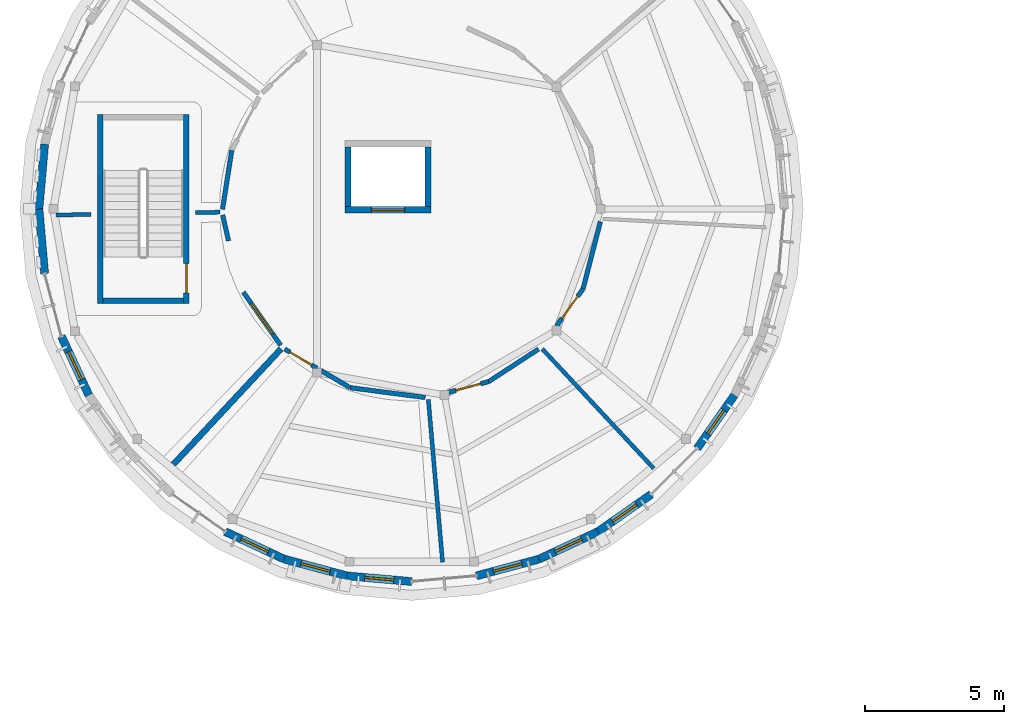
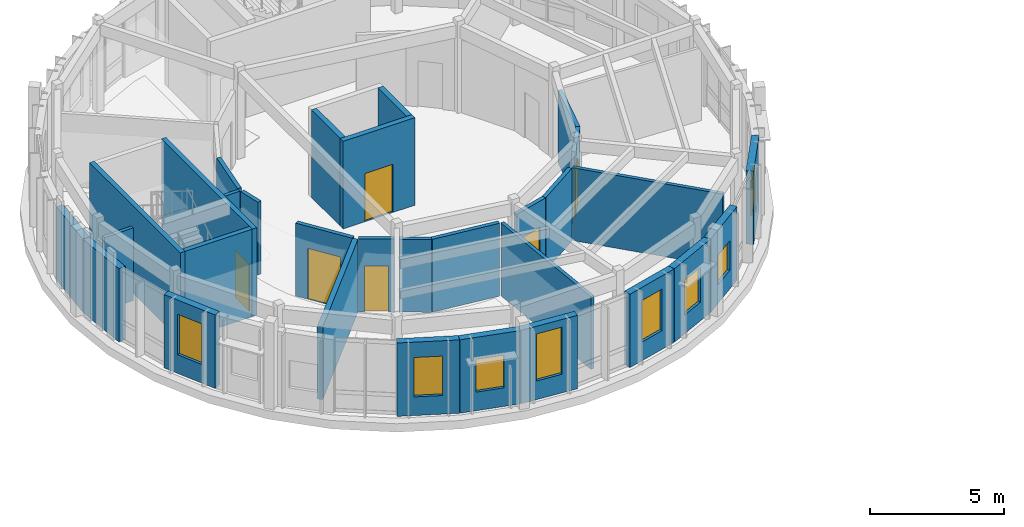
# One storey, part 20 of 37: 31 walls, 8 windows, 6 doors, 14 openings.
"""IFC4 building model written with IfcOpenShell, lengths in metres."""

from ifc_helpers import new_model, si_unit, direction, frame, frame_2d, origin, place, context, subcontext, project, spatial, rectangle, extrude, material, layer, layer_set, type_object, element, fill, save


model = new_model("IFC4")

# Units and contexts
model_context = context("Model", 3, precision=1e-05, world=origin(), true_north=direction((0.0, 1.0)))
body_context = subcontext(model_context, "Body", "Model", "MODEL_VIEW")
ifc_project = project(units=[si_unit("LENGTHUNIT", "METRE"), si_unit("AREAUNIT", "SQUARE_METRE"), si_unit("VOLUMEUNIT", "CUBIC_METRE"), si_unit("PLANEANGLEUNIT", "RADIAN"), si_unit("MASSUNIT", "GRAM", prefix="KILO")], contexts=[model_context])

# Site, building, storey
site_placement = place(None, origin())
site = spatial("IfcSite", under=ifc_project, at=site_placement, CompositionType="ELEMENT")
building_placement = place(site_placement, origin())
building = spatial("IfcBuilding", under=site, at=building_placement, Name="Aldenvaro Health Centre", CompositionType="ELEMENT")
storey_placement = place(building_placement, frame((0.0, 0.0, 12.949951171875)))
storey = spatial("IfcBuildingStorey", under=building, at=storey_placement, Name="L03", CompositionType="ELEMENT", Elevation=12.949951171875)

# Walls
ifc_material_1 = material(Name="Gypsum Stud Acoustic Assembly")
ifc_layer_1 = layer(ifc_material_1, 0.14501953125, Name="Gypsum Stud Acoustic Assembly")
ifc_layer_set_1 = layer_set([ifc_layer_1], Name="Gypsum Stud Acoustic Assembly")
wall_type_1 = type_object("IfcWallType", Name="WL-CLN-145", PredefinedType="PARTITIONING", material=ifc_layer_set_1)
wall_1_placement = place(storey_placement, frame((11.617919921875, 99.3798828125, 0.0), z_axis=(0.0, 0.0, 1.0), x_axis=(-0.999840336335, -0.017869018934, 0.0)))
element("IfcWall", 1, at=wall_1_placement, inside=storey, type_object=wall_type_1, Name="D4 L03 clinical partition 3.1", PredefinedType="PARTITIONING", context=body_context, shape_type="SweptSolid", body=[
    extrude(rectangle(XDim=0.88818359375, YDim=0.14501953125, at=frame_2d((0.444091796875, 0.0))), origin(), (0.0, 0.0, 1.0), 3.323974609375),
])
wall_2_placement = place(storey_placement, frame((6.969970703125, 99.299072265625, 0.0), z_axis=(0.0, 0.0, 1.0), x_axis=(-0.999845298985, -0.017589147167, 0.0)))
element("IfcWall", 2, at=wall_2_placement, inside=storey, type_object=wall_type_1, Name="D4 L03 clinical partition 3.2", PredefinedType="PARTITIONING", context=body_context, shape_type="SweptSolid", body=[
    extrude(rectangle(XDim=1.249267578125, YDim=0.14501953125, at=frame_2d((0.62451171875, 0.0))), origin(), (0.0, 0.0, 1.0), 3.323974609375),
])
wall_3_placement = place(storey_placement, frame((19.10009765625, 92.64306640625, 0.0), z_axis=(0.0, 0.0, 1.0), x_axis=(0.087091071421, -0.996200353984, 0.0)))
element("IfcWall", 3, at=wall_3_placement, inside=storey, type_object=wall_type_1, Name="D4 L03 clinical partition 5.1", PredefinedType="PARTITIONING", context=body_context, shape_type="SweptSolid", body=[
    extrude(rectangle(XDim=5.8671875, YDim=0.14501953125, at=frame_2d((2.93359375, 0.0))), origin(), (0.0, 0.0, 1.0), 3.323974609375),
])
wall_4_placement = place(storey_placement, frame((23.194091796875, 94.466064453125, 0.0), z_axis=(0.0, 0.0, 1.0), x_axis=(0.681971732264, -0.731378531537, 0.0)))
element("IfcWall", 4, at=wall_4_placement, inside=storey, type_object=wall_type_1, Name="D4 L03 clinical partition 6.1", PredefinedType="PARTITIONING", context=body_context, shape_type="SweptSolid", body=[
    extrude(rectangle(XDim=5.87548828125, YDim=0.14501953125, at=frame_2d((2.937744140625, 0.0))), origin(), (0.0, 0.0, 1.0), 3.323974609375),
])
ifc_layer_2 = layer(ifc_material_1, 0.1650390625, Name="Gypsum Stud Acoustic Assembly")
ifc_layer_set_2 = layer_set([ifc_layer_2], Name="Gypsum Stud Acoustic Assembly")
wall_type_2 = type_object("IfcWallType", Name="WL-COR-165", PredefinedType="PARTITIONING", material=ifc_layer_set_2)
wall_5_placement = place(storey_placement, frame((12.032958984375, 101.60107421875, 0.0), z_axis=(0.0, 0.0, 1.0), x_axis=(-0.155237833992, -0.987877125404, 0.0)))
element("IfcWall", 5, at=wall_5_placement, inside=storey, type_object=wall_type_2, Name="D4 L03 corridor wall 02.2", PredefinedType="PARTITIONING", context=body_context, shape_type="SweptSolid", body=[
    extrude(rectangle(XDim=2.145263671875, YDim=0.1650390625, at=frame_2d((1.07275390625, 0.0))), origin(), (0.0, 0.0, 1.0), 3.323974609375),
])
wall_6_placement = place(storey_placement, frame((11.7041015625, 99.280029296875, 0.0), z_axis=(0.0, 0.0, 1.0), x_axis=(0.223158332348, -0.974782210909, 0.0)))
element("IfcWall", 6, at=wall_6_placement, inside=storey, type_object=wall_type_2, Name="D4 L03 corridor wall 03.1", PredefinedType="PARTITIONING", context=body_context, shape_type="SweptSolid", body=[
    extrude(rectangle(XDim=0.9541015625, YDim=0.1650390625, at=frame_2d((0.47705078125, 0.0))), origin(), (0.0, 0.0, 1.0), 3.323974609375),
])

# Wall, opening, door
wall_7_placement = place(storey_placement, frame((12.449951171875, 96.5029296875, 0.0), z_axis=(0.0, 0.0, 1.0), x_axis=(0.574678200401, -0.818379475539, 0.0)))
wall_7 = element("IfcWall", 7, at=wall_7_placement, inside=storey, type_object=wall_type_2, Name="D4 L03 corridor wall 03.2", PredefinedType="PARTITIONING", context=body_context, shape_type="SweptSolid", body=[
    extrude(rectangle(XDim=2.330078125, YDim=0.1650390625, at=frame_2d((1.1650390625, 0.0))), origin(), (0.0, 0.0, 1.0), 3.323974609375),
])
opening_1_placement = place(wall_7_placement, frame((0.4951171875, 0.0, 0.0)))
opening_1 = element("IfcOpeningElement", 8, at=opening_1_placement, cuts=wall_7, Name="Opening D-30", PredefinedType="OPENING", context=body_context, shape_type="SweptSolid", body=[
    extrude(rectangle(XDim=1.340087890625, YDim=2.320068359375, at=frame_2d((0.669921875, 1.16015625))), frame((0.0, 0.092529296875, 0.0), z_axis=(0.0, -1.0, 0.0), x_axis=(1.0, 0.0, 0.0)), (0.0, 0.0, 1.0), 0.18505859375),
])
ifc_material_2 = material(Name="Exam Suite Timber Door", Category="wood")
door_type_1 = type_object("IfcDoorType", Name="DR-CLN-30", OperationType="NOTDEFINED", PredefinedType="DOOR", material=ifc_material_2)
door_1_placement = place(opening_1_placement, origin())
door_1 = element("IfcDoor", 9, at=door_1_placement, inside=storey, type_object=door_type_1, Name="Pulmonology Function Testing Lab Door", OperationType="SINGLE_SWING_LEFT", OverallHeight=2.320068359375, OverallWidth=1.340087890625, PredefinedType="DOOR", context=body_context, shape_type="SweptSolid", body=[
    extrude(rectangle(XDim=1.340087890625, YDim=2.320068359375, at=frame_2d((0.669921875, 1.16015625))), frame((0.0, 0.02490234375, 0.0), z_axis=(0.0, -1.0, 0.0), x_axis=(1.0, 0.0, 0.0)), (0.0, 0.0, 1.0), 0.050048828125),
])
fill(opening_1, door_1)

wall_8_placement = place(storey_placement, frame((13.93701171875, 94.458984375, 0.0), z_axis=(0.0, 0.0, 1.0), x_axis=(0.860532897503, -0.509394868756, 0.0)))
wall_8 = element("IfcWall", 10, at=wall_8_placement, inside=storey, type_object=wall_type_2, Name="D4 L03 corridor wall 04.1", PredefinedType="PARTITIONING", context=body_context, shape_type="SweptSolid", body=[
    extrude(rectangle(XDim=1.3466796875, YDim=0.1650390625, at=frame_2d((0.67333984375, 0.0))), origin(), (0.0, 0.0, 1.0), 3.323974609375),
])
opening_2_placement = place(wall_8_placement, frame((0.22412109375, 0.0, 0.0)))
opening_2 = element("IfcOpeningElement", 11, at=opening_2_placement, cuts=wall_8, Name="Opening WD-01", PredefinedType="OPENING", context=body_context, shape_type="SweptSolid", body=[
    extrude(rectangle(XDim=0.89990234375, YDim=2.10009765625, at=frame_2d((0.449951171875, 1.050048828125))), frame((0.0, 0.092529296875, 0.0), z_axis=(0.0, -1.0, 0.0), x_axis=(1.0, 0.0, 0.0)), (0.0, 0.0, 1.0), 0.18505859375),
])
ifc_material_3 = material(Name="Moisture-Resistant Laminate Door")
door_type_2 = type_object("IfcDoorType", Name="DR-WC-01", OperationType="NOTDEFINED", PredefinedType="DOOR", material=ifc_material_3)
door_2_placement = place(opening_2_placement, origin())
door_2 = element("IfcDoor", 12, at=door_2_placement, inside=storey, type_object=door_type_2, Name="Echocardiography and Stress Test Suite Door", OperationType="SINGLE_SWING_RIGHT", OverallHeight=2.10009765625, OverallWidth=0.89990234375, PredefinedType="DOOR", context=body_context, shape_type="SweptSolid", body=[
    extrude(rectangle(XDim=0.89990234375, YDim=2.10009765625, at=frame_2d((0.449951171875, 1.050048828125))), frame((0.0, 0.02490234375, 0.0), z_axis=(0.0, -1.0, 0.0), x_axis=(1.0, 0.0, 0.0)), (0.0, 0.0, 1.0), 0.050048828125),
])
fill(opening_2, door_2)

# Walls
wall_9_placement = place(storey_placement, frame((15.243896484375, 93.68603515625, 0.0), z_axis=(0.0, 0.0, 1.0), x_axis=(0.860838176747, -0.508878800359, 0.0)))
element("IfcWall", 13, at=wall_9_placement, inside=storey, type_object=wall_type_2, Name="D4 L03 corridor wall 04.2", PredefinedType="PARTITIONING", context=body_context, shape_type="SweptSolid", body=[
    extrude(rectangle(XDim=1.21044921875, YDim=0.1650390625, at=frame_2d((0.605224609375, 0.0))), origin(), (0.0, 0.0, 1.0), 3.323974609375),
])
wall_10_placement = place(storey_placement, frame((16.285888671875, 93.070068359375, 0.0), z_axis=(0.0, 0.0, 1.0), x_axis=(0.991643260492, -0.12901024735, 0.0)))
element("IfcWall", 14, at=wall_10_placement, inside=storey, type_object=wall_type_2, Name="D4 L03 corridor wall 04.3", PredefinedType="PARTITIONING", context=body_context, shape_type="SweptSolid", body=[
    extrude(rectangle(XDim=2.728759765625, YDim=0.1650390625, at=frame_2d((1.3642578125, 0.0))), origin(), (0.0, 0.0, 1.0), 3.323974609375),
])

# Wall, opening, door
wall_11_placement = place(storey_placement, frame((19.81103515625, 92.89990234375, 0.0), z_axis=(0.0, 0.0, 1.0), x_axis=(0.966208027206, 0.257763550882, 0.0)))
wall_11 = element("IfcWall", 15, at=wall_11_placement, inside=storey, type_object=wall_type_2, Name="D4 L03 corridor wall 05.1", PredefinedType="PARTITIONING", context=body_context, shape_type="SweptSolid", body=[
    extrude(rectangle(XDim=1.505859375, YDim=0.1650390625, at=frame_2d((0.7529296875, 0.0))), origin(), (0.0, 0.0, 1.0), 3.323974609375),
])
opening_3_placement = place(wall_11_placement, frame((0.29296875, 0.0, 0.0)))
opening_3 = element("IfcOpeningElement", 16, at=opening_3_placement, cuts=wall_11, Name="Opening D-01", PredefinedType="OPENING", context=body_context, shape_type="SweptSolid", body=[
    extrude(rectangle(XDim=0.919921875, YDim=2.1201171875, at=frame_2d((0.4599609375, 1.06005859375))), frame((0.0, 0.092529296875, 0.0), z_axis=(0.0, -1.0, 0.0), x_axis=(1.0, 0.0, 0.0)), (0.0, 0.0, 1.0), 0.18505859375),
])
ifc_material_4 = material(Name="Solid Core Acoustic Timber Door", Category="wood")
door_type_3 = type_object("IfcDoorType", Name="DR-CLN-01", OperationType="NOTDEFINED", PredefinedType="DOOR", material=ifc_material_4)
door_3_placement = place(opening_3_placement, origin())
door_3 = element("IfcDoor", 17, at=door_3_placement, inside=storey, type_object=door_type_3, Name="Diabetes Nutrition Consulting Room Door", OperationType="SINGLE_SWING_LEFT", OverallHeight=2.1201171875, OverallWidth=0.919921875, PredefinedType="DOOR", context=body_context, shape_type="SweptSolid", body=[
    extrude(rectangle(XDim=0.919921875, YDim=2.1201171875, at=frame_2d((0.4599609375, 1.06005859375))), frame((0.0, 0.02490234375, 0.0), z_axis=(0.0, -1.0, 0.0), x_axis=(1.0, 0.0, 0.0)), (0.0, 0.0, 1.0), 0.050048828125),
])
fill(opening_3, door_3)

# Wall
wall_12_placement = place(storey_placement, frame((21.26611328125, 93.2880859375, 0.0), z_axis=(0.0, 0.0, 1.0), x_axis=(0.837818879473, 0.5459482807, 0.0)))
element("IfcWall", 18, at=wall_12_placement, inside=storey, type_object=wall_type_2, Name="D4 L03 corridor wall 05.2", PredefinedType="PARTITIONING", context=body_context, shape_type="SweptSolid", body=[
    extrude(rectangle(XDim=2.144775390625, YDim=0.1650390625, at=frame_2d((1.072265625, 0.0))), origin(), (0.0, 0.0, 1.0), 3.323974609375),
])

# Wall, opening, door
wall_13_placement = place(storey_placement, frame((23.7080078125, 95.291015625, 0.0), z_axis=(0.0, 0.0, 1.0), x_axis=(0.581857090846, 0.813291046202, 0.0)))
wall_13 = element("IfcWall", 19, at=wall_13_placement, inside=storey, type_object=wall_type_2, Name="D4 L03 corridor wall 06.1", PredefinedType="PARTITIONING", context=body_context, shape_type="SweptSolid", body=[
    extrude(rectangle(XDim=1.641357421875, YDim=0.1650390625, at=frame_2d((0.82080078125, 0.0))), origin(), (0.0, 0.0, 1.0), 3.323974609375),
])
opening_4_placement = place(wall_13_placement, frame((0.341064453125, 0.0, 0.0)))
opening_4 = element("IfcOpeningElement", 20, at=opening_4_placement, cuts=wall_13, Name="Opening D-02", PredefinedType="OPENING", context=body_context, shape_type="SweptSolid", body=[
    extrude(rectangle(XDim=0.9599609375, YDim=2.1201171875, at=frame_2d((0.47998046875, 1.06005859375))), frame((0.0, 0.092529296875, 0.0), z_axis=(0.0, -1.0, 0.0), x_axis=(1.0, 0.0, 0.0)), (0.0, 0.0, 1.0), 0.18505859375),
])
door_type_4 = type_object("IfcDoorType", Name="DR-CLN-02", OperationType="NOTDEFINED", PredefinedType="DOOR", material=ifc_material_4)
door_4_placement = place(opening_4_placement, origin())
door_4 = element("IfcDoor", 21, at=door_4_placement, inside=storey, type_object=door_type_4, Name="Specialty Care Nurse Station Door", OperationType="SINGLE_SWING_RIGHT", OverallHeight=2.1201171875, OverallWidth=0.9599609375, PredefinedType="DOOR", context=body_context, shape_type="SweptSolid", body=[
    extrude(rectangle(XDim=0.9599609375, YDim=2.1201171875, at=frame_2d((0.47998046875, 1.06005859375))), frame((0.0, 0.02490234375, 0.0), z_axis=(0.0, -1.0, 0.0), x_axis=(1.0, 0.0, 0.0)), (0.0, 0.0, 1.0), 0.050048828125),
])
fill(opening_4, door_4)

# Wall
wall_14_placement = place(storey_placement, frame((24.6630859375, 96.6259765625, 0.0), z_axis=(0.0, 0.0, 1.0), x_axis=(0.249159011618, 0.968462589329, 0.0)))
element("IfcWall", 22, at=wall_14_placement, inside=storey, type_object=wall_type_2, Name="D4 L03 corridor wall 06.2", PredefinedType="PARTITIONING", context=body_context, shape_type="SweptSolid", body=[
    extrude(rectangle(XDim=2.49560546875, YDim=0.1650390625, at=frame_2d((1.247802734375, 0.0))), origin(), (0.0, 0.0, 1.0), 3.323974609375),
])

# Wall, opening, window
ifc_material_5 = material(Name="Cross-laminated timber CLT E1", Category="wood")
ifc_layer_3 = layer(ifc_material_5, 0.2900390625, Name="Cross-laminated timber CLT E1", Category="wood")
ifc_layer_set_3 = layer_set([ifc_layer_3], Name="Cross-laminated timber CLT E1")
wall_type_3 = type_object("IfcWallType", Name="WL-EXT-290", PredefinedType="ELEMENTEDWALL", material=ifc_layer_set_3)
wall_15_placement = place(storey_placement, frame((30.10498046875, 92.800048828125, 0.0), z_axis=(0.0, 0.0, 1.0), x_axis=(-0.573728883722, -0.819045278347, 0.0)))
wall_15 = element("IfcWall", 23, at=wall_15_placement, inside=storey, type_object=wall_type_3, Name="D4 L03 exterior wall 04", PredefinedType="ELEMENTEDWALL", context=body_context, shape_type="SweptSolid", body=[
    extrude(rectangle(XDim=2.335693359375, YDim=0.2900390625, at=frame_2d((1.16796875, 0.0))), origin(), (0.0, 0.0, 1.0), 3.34912109375),
])
opening_5_placement = place(wall_15_placement, frame((0.657958984375, 0.0, 0.85009765625)))
opening_5 = element("IfcOpeningElement", 24, at=opening_5_placement, cuts=wall_15, Name="Opening W-18", PredefinedType="OPENING", context=body_context, shape_type="SweptSolid", body=[
    extrude(rectangle(XDim=1.02001953125, YDim=1.60009765625, at=frame_2d((0.510009765625, 0.800048828125))), frame((0.0, 0.155029296875, 0.0), z_axis=(0.0, -1.0, 0.0), x_axis=(1.0, 0.0, 0.0)), (0.0, 0.0, 1.0), 0.31005859375),
])
ifc_material_6 = material(Name="Thermally Broken Aluminium Low-E Glass", Category="aluminium")
window_type_1 = type_object("IfcWindowType", Name="WN-EXT-18", PartitioningType="SINGLE_PANEL", PredefinedType="WINDOW", material=ifc_material_6)
window_1_placement = place(opening_5_placement, origin())
window_1 = element("IfcWindow", 25, at=window_1_placement, inside=storey, type_object=window_type_1, Name="D4 L03 clinical window 04", OverallHeight=1.60009765625, OverallWidth=1.02001953125, PartitioningType="SINGLE_PANEL", PredefinedType="WINDOW", context=body_context, shape_type="SweptSolid", body=[
    extrude(rectangle(XDim=1.02001953125, YDim=1.60009765625, at=frame_2d((0.510009765625, 0.800048828125))), frame((0.0, 0.030029296875, 0.0), z_axis=(0.0, -1.0, 0.0), x_axis=(1.0, 0.0, 0.0)), (0.0, 0.0, 1.0), 0.06005859375),
])
fill(opening_5, window_1)

wall_16_placement = place(storey_placement, frame((27.113037109375, 89.235107421875, 0.0), z_axis=(0.0, 0.0, 1.0), x_axis=(-0.819045278347, -0.573728883722, 0.0)))
wall_16 = element("IfcWall", 26, at=wall_16_placement, inside=storey, type_object=wall_type_3, Name="D4 L03 exterior wall 06", PredefinedType="ELEMENTEDWALL", context=body_context, shape_type="SweptSolid", body=[
    extrude(rectangle(XDim=2.335693359375, YDim=0.2900390625, at=frame_2d((1.16796875, 0.0))), origin(), (0.0, 0.0, 1.0), 3.34912109375),
])
opening_6_placement = place(wall_16_placement, frame((0.64306640625, 0.0, 0.85009765625)))
opening_6 = element("IfcOpeningElement", 27, at=opening_6_placement, cuts=wall_16, Name="Opening W-19", PredefinedType="OPENING", context=body_context, shape_type="SweptSolid", body=[
    extrude(rectangle(XDim=1.050048828125, YDim=1.35009765625, at=frame_2d((0.52490234375, 0.675048828125))), frame((0.0, 0.155029296875, 0.0), z_axis=(0.0, -1.0, 0.0), x_axis=(1.0, 0.0, 0.0)), (0.0, 0.0, 1.0), 0.31005859375),
])
window_type_2 = type_object("IfcWindowType", Name="WN-EXT-19", PartitioningType="SINGLE_PANEL", PredefinedType="WINDOW", material=ifc_material_6)
window_2_placement = place(opening_6_placement, origin())
window_2 = element("IfcWindow", 28, at=window_2_placement, inside=storey, type_object=window_type_2, Name="D4 L03 clinical window 06", OverallHeight=1.35009765625, OverallWidth=1.050048828125, PartitioningType="SINGLE_PANEL", PredefinedType="WINDOW", context=body_context, shape_type="SweptSolid", body=[
    extrude(rectangle(XDim=1.050048828125, YDim=1.35009765625, at=frame_2d((0.52490234375, 0.675048828125))), frame((0.0, 0.030029296875, 0.0), z_axis=(0.0, -1.0, 0.0), x_axis=(1.0, 0.0, 0.0)), (0.0, 0.0, 1.0), 0.06005859375),
])
fill(opening_6, window_2)

wall_17_placement = place(storey_placement, frame((25.199951171875, 87.89501953125, 0.0), z_axis=(0.0, 0.0, 1.0), x_axis=(-0.906321946979, -0.422587894318, 0.0)))
wall_17 = element("IfcWall", 29, at=wall_17_placement, inside=storey, type_object=wall_type_3, Name="D4 L03 exterior wall 07", PredefinedType="ELEMENTEDWALL", context=body_context, shape_type="SweptSolid", body=[
    extrude(rectangle(XDim=2.335693359375, YDim=0.2900390625, at=frame_2d((1.16796875, 0.0))), origin(), (0.0, 0.0, 1.0), 3.34912109375),
])
opening_7_placement = place(wall_17_placement, frame((0.64306640625, 0.0, 0.85009765625)))
opening_7 = element("IfcOpeningElement", 30, at=opening_7_placement, cuts=wall_17, Name="Opening W-20", PredefinedType="OPENING", context=body_context, shape_type="SweptSolid", body=[
    extrude(rectangle(XDim=1.050048828125, YDim=1.60009765625, at=frame_2d((0.52490234375, 0.800048828125))), frame((0.0, 0.155029296875, 0.0), z_axis=(0.0, -1.0, 0.0), x_axis=(1.0, 0.0, 0.0)), (0.0, 0.0, 1.0), 0.31005859375),
])
window_type_3 = type_object("IfcWindowType", Name="WN-EXT-20", PartitioningType="SINGLE_PANEL", PredefinedType="WINDOW", material=ifc_material_6)
window_3_placement = place(opening_7_placement, origin())
window_3 = element("IfcWindow", 31, at=window_3_placement, inside=storey, type_object=window_type_3, Name="D4 L03 clinical window 07", OverallHeight=1.60009765625, OverallWidth=1.050048828125, PartitioningType="SINGLE_PANEL", PredefinedType="WINDOW", context=body_context, shape_type="SweptSolid", body=[
    extrude(rectangle(XDim=1.050048828125, YDim=1.60009765625, at=frame_2d((0.52490234375, 0.800048828125))), frame((0.0, 0.030029296875, 0.0), z_axis=(0.0, -1.0, 0.0), x_axis=(1.0, 0.0, 0.0)), (0.0, 0.0, 1.0), 0.06005859375),
])
fill(opening_7, window_3)

wall_18_placement = place(storey_placement, frame((23.0830078125, 86.907958984375, 0.0), z_axis=(0.0, 0.0, 1.0), x_axis=(-0.965981166673, -0.258612423585, 0.0)))
wall_18 = element("IfcWall", 32, at=wall_18_placement, inside=storey, type_object=wall_type_3, Name="D4 L03 exterior wall 08", PredefinedType="ELEMENTEDWALL", context=body_context, shape_type="SweptSolid", body=[
    extrude(rectangle(XDim=2.33544921875, YDim=0.2900390625, at=frame_2d((1.167724609375, 0.0))), origin(), (0.0, 0.0, 1.0), 3.34912109375),
])
opening_8_placement = place(wall_18_placement, frame((0.64306640625, 0.0, 0.85009765625)))
opening_8 = element("IfcOpeningElement", 33, at=opening_8_placement, cuts=wall_18, Name="Opening W-21", PredefinedType="OPENING", context=body_context, shape_type="SweptSolid", body=[
    extrude(rectangle(XDim=1.050048828125, YDim=1.89990234375, at=frame_2d((0.52490234375, 0.949951171875))), frame((0.0, 0.155029296875, 0.0), z_axis=(0.0, -1.0, 0.0), x_axis=(1.0, 0.0, 0.0)), (0.0, 0.0, 1.0), 0.31005859375),
])
window_type_4 = type_object("IfcWindowType", Name="WN-EXT-21", PartitioningType="SINGLE_PANEL", PredefinedType="WINDOW", material=ifc_material_6)
window_4_placement = place(opening_8_placement, origin())
window_4 = element("IfcWindow", 34, at=window_4_placement, inside=storey, type_object=window_type_4, Name="D4 L03 clinical window 08", OverallHeight=1.89990234375, OverallWidth=1.050048828125, PartitioningType="SINGLE_PANEL", PredefinedType="WINDOW", context=body_context, shape_type="SweptSolid", body=[
    extrude(rectangle(XDim=1.050048828125, YDim=1.89990234375, at=frame_2d((0.52490234375, 0.949951171875))), frame((0.0, 0.030029296875, 0.0), z_axis=(0.0, -1.0, 0.0), x_axis=(1.0, 0.0, 0.0)), (0.0, 0.0, 1.0), 0.06005859375),
])
fill(opening_8, window_4)

wall_19_placement = place(storey_placement, frame((18.5, 86.10009765625, 0.0), z_axis=(0.0, 0.0, 1.0), x_axis=(-0.996184295282, 0.087274565792, 0.0)))
wall_19 = element("IfcWall", 35, at=wall_19_placement, inside=storey, type_object=wall_type_3, Name="D4 L03 exterior wall 10", PredefinedType="ELEMENTEDWALL", context=body_context, shape_type="SweptSolid", body=[
    extrude(rectangle(XDim=2.3359375, YDim=0.2900390625, at=frame_2d((1.16796875, 0.0))), origin(), (0.0, 0.0, 1.0), 3.34912109375),
])
opening_9_placement = place(wall_19_placement, frame((0.64306640625, 0.0, 0.85009765625)))
opening_9 = element("IfcOpeningElement", 36, at=opening_9_placement, cuts=wall_19, Name="Opening W-22", PredefinedType="OPENING", context=body_context, shape_type="SweptSolid", body=[
    extrude(rectangle(XDim=1.050048828125, YDim=2.14990234375, at=frame_2d((0.52490234375, 1.074951171875))), frame((0.0, 0.155029296875, 0.0), z_axis=(0.0, -1.0, 0.0), x_axis=(1.0, 0.0, 0.0)), (0.0, 0.0, 1.0), 0.31005859375),
])
window_type_5 = type_object("IfcWindowType", Name="WN-EXT-22", PartitioningType="SINGLE_PANEL", PredefinedType="WINDOW", material=ifc_material_6)
window_5_placement = place(opening_9_placement, origin())
window_5 = element("IfcWindow", 37, at=window_5_placement, inside=storey, type_object=window_type_5, Name="D4 L03 clinical window 10", OverallHeight=2.14990234375, OverallWidth=1.050048828125, PartitioningType="SINGLE_PANEL", PredefinedType="WINDOW", context=body_context, shape_type="SweptSolid", body=[
    extrude(rectangle(XDim=1.050048828125, YDim=2.14990234375, at=frame_2d((0.52490234375, 1.074951171875))), frame((0.0, 0.030029296875, 0.0), z_axis=(0.0, -1.0, 0.0), x_axis=(1.0, 0.0, 0.0)), (0.0, 0.0, 1.0), 0.06005859375),
])
fill(opening_9, window_5)

wall_20_placement = place(storey_placement, frame((16.173095703125, 86.303955078125, 0.0), z_axis=(0.0, 0.0, 1.0), x_axis=(-0.965981166673, 0.258612423585, 0.0)))
wall_20 = element("IfcWall", 38, at=wall_20_placement, inside=storey, type_object=wall_type_3, Name="D4 L03 exterior wall 11", PredefinedType="ELEMENTEDWALL", context=body_context, shape_type="SweptSolid", body=[
    extrude(rectangle(XDim=2.33544921875, YDim=0.2900390625, at=frame_2d((1.167724609375, 0.0))), origin(), (0.0, 0.0, 1.0), 3.34912109375),
])
opening_10_placement = place(wall_20_placement, frame((0.6279296875, 0.0, 0.85009765625)))
opening_10 = element("IfcOpeningElement", 39, at=opening_10_placement, cuts=wall_20, Name="Opening W-23", PredefinedType="OPENING", context=body_context, shape_type="SweptSolid", body=[
    extrude(rectangle(XDim=1.080078125, YDim=1.5, at=frame_2d((0.5400390625, 0.75))), frame((0.0, 0.155029296875, 0.0), z_axis=(0.0, -1.0, 0.0), x_axis=(1.0, 0.0, 0.0)), (0.0, 0.0, 1.0), 0.31005859375),
])
window_type_6 = type_object("IfcWindowType", Name="WN-EXT-23", PartitioningType="SINGLE_PANEL", PredefinedType="WINDOW", material=ifc_material_6)
window_6_placement = place(opening_10_placement, origin())
window_6 = element("IfcWindow", 40, at=window_6_placement, inside=storey, type_object=window_type_6, Name="D4 L03 clinical window 11", OverallHeight=1.5, OverallWidth=1.080078125, PartitioningType="SINGLE_PANEL", PredefinedType="WINDOW", context=body_context, shape_type="SweptSolid", body=[
    extrude(rectangle(XDim=1.080078125, YDim=1.5, at=frame_2d((0.5400390625, 0.75))), frame((0.0, 0.030029296875, 0.0), z_axis=(0.0, -1.0, 0.0), x_axis=(1.0, 0.0, 0.0)), (0.0, 0.0, 1.0), 0.06005859375),
])
fill(opening_10, window_6)

wall_21_placement = place(storey_placement, frame((13.9169921875, 86.907958984375, 0.0), z_axis=(0.0, 0.0, 1.0), x_axis=(-0.906321946979, 0.422587894318, 0.0)))
wall_21 = element("IfcWall", 41, at=wall_21_placement, inside=storey, type_object=wall_type_3, Name="D4 L03 exterior wall 12", PredefinedType="ELEMENTEDWALL", context=body_context, shape_type="SweptSolid", body=[
    extrude(rectangle(XDim=2.335693359375, YDim=0.2900390625, at=frame_2d((1.16796875, 0.0))), origin(), (0.0, 0.0, 1.0), 3.34912109375),
])
opening_11_placement = place(wall_21_placement, frame((0.6279296875, 0.0, 0.85009765625)))
opening_11 = element("IfcOpeningElement", 42, at=opening_11_placement, cuts=wall_21, Name="Opening W-24", PredefinedType="OPENING", context=body_context, shape_type="SweptSolid", body=[
    extrude(rectangle(XDim=1.080078125, YDim=1.800048828125, at=frame_2d((0.5400390625, 0.89990234375))), frame((0.0, 0.155029296875, 0.0), z_axis=(0.0, -1.0, 0.0), x_axis=(1.0, 0.0, 0.0)), (0.0, 0.0, 1.0), 0.31005859375),
])
window_type_7 = type_object("IfcWindowType", Name="WN-EXT-24", PartitioningType="SINGLE_PANEL", PredefinedType="WINDOW", material=ifc_material_6)
window_7_placement = place(opening_11_placement, origin())
window_7 = element("IfcWindow", 43, at=window_7_placement, inside=storey, type_object=window_type_7, Name="D4 L03 clinical window 12", OverallHeight=1.800048828125, OverallWidth=1.080078125, PartitioningType="SINGLE_PANEL", PredefinedType="WINDOW", context=body_context, shape_type="SweptSolid", body=[
    extrude(rectangle(XDim=1.080078125, YDim=1.800048828125, at=frame_2d((0.5400390625, 0.89990234375))), frame((0.0, 0.030029296875, 0.0), z_axis=(0.0, -1.0, 0.0), x_axis=(1.0, 0.0, 0.0)), (0.0, 0.0, 1.0), 0.06005859375),
])
fill(opening_11, window_7)

wall_22_placement = place(storey_placement, frame((6.89501953125, 92.800048828125, 0.0), z_axis=(0.0, 0.0, 1.0), x_axis=(-0.422587894318, 0.906321946979, 0.0)))
wall_22 = element("IfcWall", 44, at=wall_22_placement, inside=storey, type_object=wall_type_3, Name="D4 L03 exterior wall 16", PredefinedType="ELEMENTEDWALL", context=body_context, shape_type="SweptSolid", body=[
    extrude(rectangle(XDim=2.335693359375, YDim=0.2900390625, at=frame_2d((1.16796875, 0.0))), origin(), (0.0, 0.0, 1.0), 3.34912109375),
])
opening_12_placement = place(wall_22_placement, frame((0.617919921875, 0.0, 0.85009765625)))
opening_12 = element("IfcOpeningElement", 45, at=opening_12_placement, cuts=wall_22, Name="Opening W-27", PredefinedType="OPENING", context=body_context, shape_type="SweptSolid", body=[
    extrude(rectangle(XDim=1.10009765625, YDim=1.85009765625, at=frame_2d((0.550048828125, 0.925048828125))), frame((0.0, 0.155029296875, 0.0), z_axis=(0.0, -1.0, 0.0), x_axis=(1.0, 0.0, 0.0)), (0.0, 0.0, 1.0), 0.31005859375),
])
window_type_8 = type_object("IfcWindowType", Name="WN-EXT-27", PartitioningType="SINGLE_PANEL", PredefinedType="WINDOW", material=ifc_material_6)
window_8_placement = place(opening_12_placement, origin())
window_8 = element("IfcWindow", 46, at=window_8_placement, inside=storey, type_object=window_type_8, Name="D4 L03 clinical window 16", OverallHeight=1.85009765625, OverallWidth=1.10009765625, PartitioningType="SINGLE_PANEL", PredefinedType="WINDOW", context=body_context, shape_type="SweptSolid", body=[
    extrude(rectangle(XDim=1.10009765625, YDim=1.85009765625, at=frame_2d((0.550048828125, 0.925048828125))), frame((0.0, 0.030029296875, 0.0), z_axis=(0.0, -1.0, 0.0), x_axis=(1.0, 0.0, 0.0)), (0.0, 0.0, 1.0), 0.06005859375),
])
fill(opening_12, window_8)

# Walls
for number, where, z_axis, x_axis, name in (
    (47, (5.303955078125, 97.173095703125, 0.0), (0.0, 0.0, 1.0), (-0.087274565792, 0.996184295282, 0.0), "D4 L03 exterior wall 18"),
    (48, (5.10009765625, 99.5, 0.0), (0.0, 0.0, 1.0), (0.087274565792, 0.996184295282, 0.0), "D4 L03 exterior wall 19"),
):
    element("IfcWall", number, at=place(storey_placement, frame(where, z_axis=z_axis, x_axis=x_axis)), inside=storey, type_object=wall_type_3, Name=name, PredefinedType="ELEMENTEDWALL", context=body_context, shape_type="SweptSolid", body=[
        extrude(rectangle(XDim=2.3359375, YDim=0.2900390625, at=frame_2d((1.16796875, 0.0))), origin(), (0.0, 0.0, 1.0), 3.34912109375),
    ])
ifc_material_7 = material(Name="Concrete f'c 35 MPa", Category="concrete")
ifc_layer_4 = layer(ifc_material_7, 0.215087890625, Name="Concrete f'c 35 MPa", Category="concrete")
ifc_layer_set_4 = layer_set([ifc_layer_4], Name="Concrete f'c 35 MPa")
wall_type_4 = type_object("IfcWallType", Name="WL-IMG-215", PredefinedType="SOLIDWALL", material=ifc_layer_set_4)
wall_23_placement = place(storey_placement, frame((13.805908203125, 94.466064453125, 0.0), z_axis=(0.0, 0.0, 1.0), x_axis=(-0.681971732264, -0.731378531537, 0.0)))
element("IfcWall", 49, at=wall_23_placement, inside=storey, type_object=wall_type_4, Name="D4 L03 clinical partition 4.1", PredefinedType="SOLIDWALL", context=body_context, shape_type="SweptSolid", body=[
    extrude(rectangle(XDim=5.87548828125, YDim=0.215087890625, at=frame_2d((2.937744140625, 0.0))), origin(), (0.0, 0.0, 1.0), 3.323974609375),
])

# Wall, opening, door
ifc_material_8 = material(Name="Concrete f'c 40 MPa", Category="concrete")
ifc_layer_5 = layer(ifc_material_8, 0.199951171875, Name="Concrete f'c 40 MPa", Category="concrete")
ifc_layer_set_5 = layer_set([ifc_layer_5], Name="Concrete f'c 40 MPa")
wall_type_5 = type_object("IfcWallType", Name="WL-SHAFT-200", PredefinedType="SHEAR", material=ifc_layer_set_5)
wall_24_placement = place(storey_placement, frame((10.39990234375, 96.10009765625, 0.0), z_axis=(0.0, 0.0, 1.0), x_axis=(0.0, 1.0, 0.0)))
wall_24 = element("IfcWall", 50, at=wall_24_placement, inside=storey, type_object=wall_type_5, Name="ST-08 L03 inner core wall", PredefinedType="SHEAR", context=body_context, shape_type="SweptSolid", body=[
    extrude(rectangle(XDim=6.7998046875, YDim=0.199951171875, at=frame_2d((3.39990234375, 0.0))), origin(), (0.0, 0.0, 1.0), 3.9951171875),
])
opening_13_placement = place(wall_24_placement, frame((0.3798828125, 0.0, 0.0)))
opening_13 = element("IfcOpeningElement", 51, at=opening_13_placement, cuts=wall_24, Name="Opening FD-02", PredefinedType="OPENING", context=body_context, shape_type="SweptSolid", body=[
    extrude(rectangle(XDim=1.050048828125, YDim=2.14990234375, at=frame_2d((0.52490234375, 1.074951171875))), frame((0.0, 0.10986328125, 0.0), z_axis=(0.0, -1.0, 0.0), x_axis=(1.0, 0.0, 0.0)), (0.0, 0.0, 1.0), 0.219970703125),
])
ifc_material_9 = material(Name="Fire-Rated Steel Door Assembly", Category="steel")
door_type_5 = type_object("IfcDoorType", Name="DR-STAIR-105", OperationType="NOTDEFINED", PredefinedType="DOOR", material=ifc_material_9)
door_5_placement = place(opening_13_placement, origin())
door_5 = element("IfcDoor", 52, at=door_5_placement, inside=storey, type_object=door_type_5, Name="ST-08 L03 fire stair door", OperationType="SINGLE_SWING_RIGHT", OverallHeight=2.14990234375, OverallWidth=1.050048828125, PredefinedType="DOOR", context=body_context, shape_type="SweptSolid", body=[
    extrude(rectangle(XDim=1.050048828125, YDim=2.14990234375, at=frame_2d((0.52490234375, 1.074951171875))), frame((0.0, 0.02490234375, 0.0), z_axis=(0.0, -1.0, 0.0), x_axis=(1.0, 0.0, 0.0)), (0.0, 0.0, 1.0), 0.050048828125),
])
fill(opening_13, door_5)

# Walls
wall_25_placement = place(storey_placement, frame((7.300048828125, 96.10009765625, 0.0), z_axis=(0.0, 0.0, 1.0), x_axis=(0.0, 1.0, 0.0)))
element("IfcWall", 53, at=wall_25_placement, inside=storey, type_object=wall_type_5, Name="ST-08 L03 far core wall", PredefinedType="SHEAR", context=body_context, shape_type="SweptSolid", body=[
    extrude(rectangle(XDim=6.7998046875, YDim=0.199951171875, at=frame_2d((3.39990234375, 0.0))), origin(), (0.0, 0.0, 1.0), 3.9951171875),
])
wall_26_placement = place(storey_placement, frame((10.300048828125, 96.199951171875, 0.0), z_axis=(0.0, 0.0, 1.0), x_axis=(-1.0, 0.0, 0.0)))
element("IfcWall", 54, at=wall_26_placement, inside=storey, type_object=wall_type_5, Name="ST-08 L03 side core wall L", PredefinedType="SHEAR", context=body_context, shape_type="SweptSolid", body=[
    extrude(rectangle(XDim=2.900146484375, YDim=0.199951171875, at=frame_2d((1.4501953125, 0.0))), origin(), (0.0, 0.0, 1.0), 3.9951171875),
])

# Wall, opening, door
ifc_layer_6 = layer(ifc_material_8, 0.22509765625, Name="Concrete f'c 40 MPa", Category="concrete")
ifc_layer_set_6 = layer_set([ifc_layer_6], Name="Concrete f'c 40 MPa")
wall_type_6 = type_object("IfcWallType", Name="WL-SHAFT-225", PredefinedType="SHEAR", material=ifc_layer_set_6)
wall_27_placement = place(storey_placement, frame((16.10009765625, 99.462890625, 0.0), z_axis=(0.0, 0.0, 1.0), x_axis=(1.0, 0.0, 0.0)))
wall_27 = element("IfcWall", 55, at=wall_27_placement, inside=storey, type_object=wall_type_6, Name="LF-04 L03 lift shaft front wall", PredefinedType="SHEAR", context=body_context, shape_type="SweptSolid", body=[
    extrude(rectangle(XDim=3.099853515625, YDim=0.22509765625, at=frame_2d((1.5498046875, 0.0))), origin(), (0.0, 0.0, 1.0), 3.9951171875),
])
opening_14_placement = place(wall_27_placement, frame((0.949951171875, 0.0, 0.0)))
opening_14 = element("IfcOpeningElement", 56, at=opening_14_placement, cuts=wall_27, Name="Opening LD-01", PredefinedType="OPENING", context=body_context, shape_type="SweptSolid", body=[
    extrude(rectangle(XDim=1.199951171875, YDim=2.199951171875, at=frame_2d((0.60009765625, 1.10009765625))), frame((0.0, 0.12255859375, 0.0), z_axis=(0.0, -1.0, 0.0), x_axis=(1.0, 0.0, 0.0)), (0.0, 0.0, 1.0), 0.2451171875),
])
ifc_material_10 = material(Name="Stainless Steel Lift Landing Door", Category="steel")
door_type_6 = type_object("IfcDoorType", Name="DR-LIFT-120", OperationType="DOUBLE_DOOR_SLIDING", PredefinedType="DOOR", material=ifc_material_10)
door_6_placement = place(opening_14_placement, origin())
door_6 = element("IfcDoor", 57, at=door_6_placement, inside=storey, type_object=door_type_6, Name="Lift LF-04 L03 Sliding Landing Door", OperationType="DOUBLE_DOOR_SLIDING", OverallHeight=2.199951171875, OverallWidth=1.199951171875, PredefinedType="DOOR", context=body_context, shape_type="SweptSolid", body=[
    extrude(rectangle(XDim=1.199951171875, YDim=2.199951171875, at=frame_2d((0.60009765625, 1.10009765625))), frame((0.0, 0.02490234375, 0.0), z_axis=(0.0, -1.0, 0.0), x_axis=(1.0, 0.0, 0.0)), (0.0, 0.0, 1.0), 0.050048828125),
])
fill(opening_14, door_6)

# Walls
for number, where, z_axis, x_axis, name in (
    (58, (16.2119140625, 99.574951171875, 0.0), (0.0, 0.0, 1.0), (0.0, 1.0, 0.0), "LF-04 L03 lift shaft side wall L"),
    (59, (19.0869140625, 99.574951171875, 0.0), (0.0, 0.0, 1.0), (0.0, 1.0, 0.0), "LF-04 L03 lift shaft side wall R"),
):
    element("IfcWall", number, at=place(storey_placement, frame(where, z_axis=z_axis, x_axis=x_axis)), inside=storey, type_object=wall_type_6, Name=name, PredefinedType="SHEAR", context=body_context, shape_type="SweptSolid", body=[
        extrude(rectangle(XDim=2.150146484375, YDim=0.22509765625, at=frame_2d((1.0751953125, 0.0))), origin(), (0.0, 0.0, 1.0), 3.9951171875),
    ])

save(model, "model.ifc")
